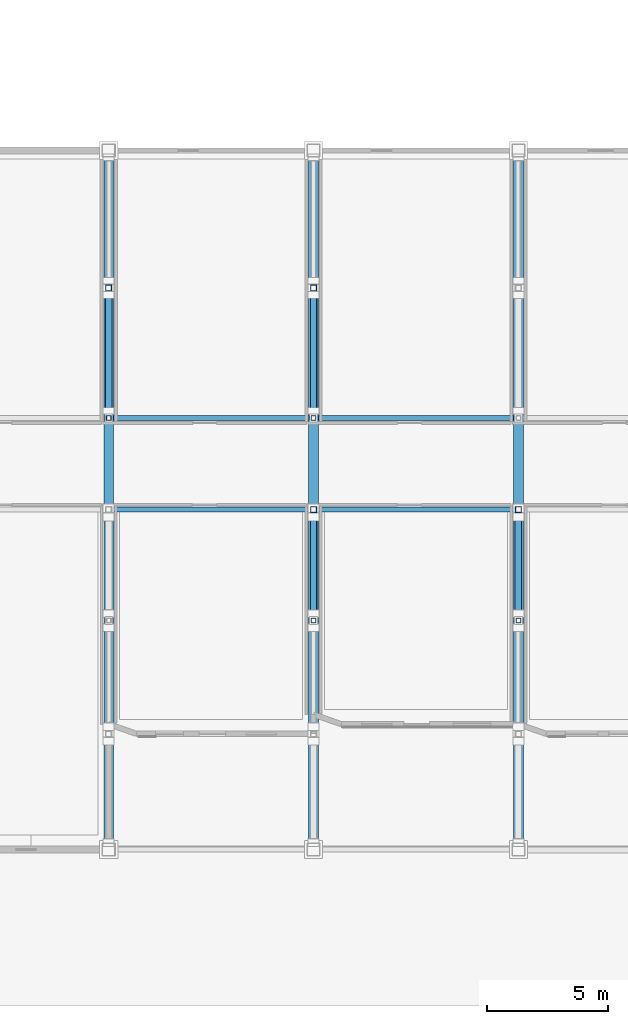
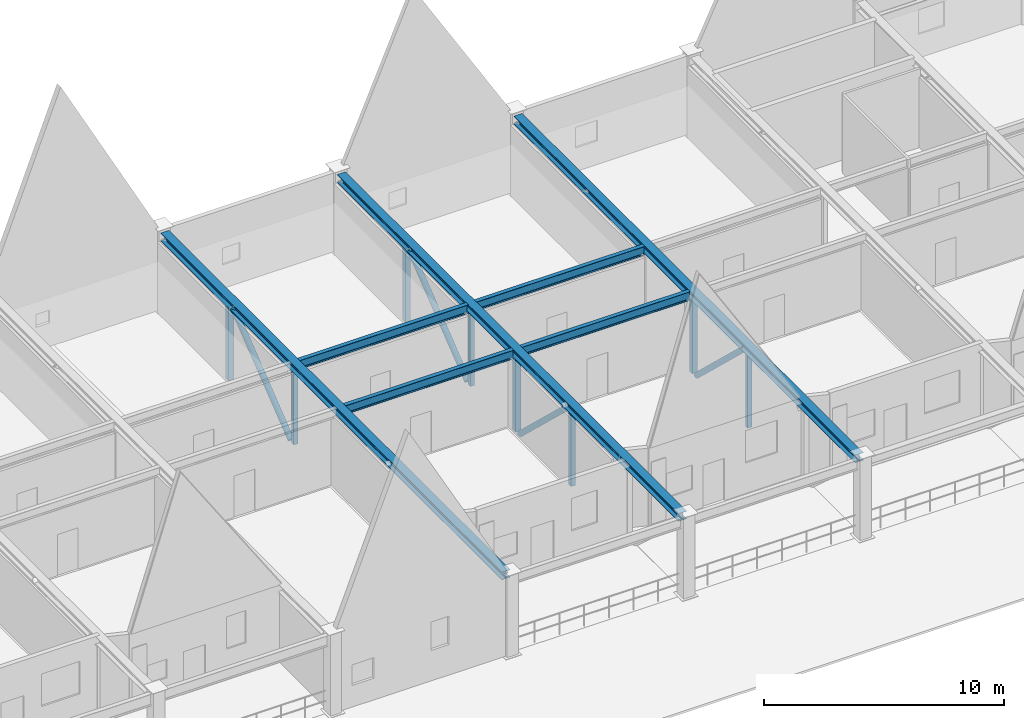
# One storey, part 30 of 78: 12 members, 7 beams.
"""IFC4 building model written with IfcOpenShell, lengths in metres."""

from ifc_helpers import new_model, si_unit, direction, frame, origin, origin_2d, place, context, subcontext, project, spatial, hollow_rectangle, hollow_circle, i_section, extrude, material, material_profile, profile_set, type_object, element, save


model = new_model("IFC4")

# Units and contexts
model_context = context("Model", 3, precision=1e-05, world=origin(), true_north=direction((0.0, 1.0)))
body_context = subcontext(model_context, "Body", "Model", "MODEL_VIEW")
ifc_project = project(units=[si_unit("LENGTHUNIT", "METRE"), si_unit("AREAUNIT", "SQUARE_METRE"), si_unit("VOLUMEUNIT", "CUBIC_METRE"), si_unit("PLANEANGLEUNIT", "RADIAN"), si_unit("MASSUNIT", "GRAM", prefix="KILO"), si_unit("THERMODYNAMICTEMPERATUREUNIT", "KELVIN"), si_unit("POWERUNIT", "WATT")], contexts=[model_context])

# Site, building, storey
site_placement = place(None, origin())
site = spatial("IfcSite", under=ifc_project, at=site_placement, CompositionType="ELEMENT")
building_placement = place(site_placement, origin())
building = spatial("IfcBuilding", under=site, at=building_placement, Name="Zhenchuan Central Fire Station", CompositionType="ELEMENT")
storey_placement = place(building_placement, frame((0.0, 0.0, 5.85009765625)))
storey = spatial("IfcBuildingStorey", under=building, at=storey_placement, Name="L02", CompositionType="ELEMENT", Elevation=5.85009765625)

# Beams
ifc_material = material(Name="Steel Q355B", Category="steel")
ifc_material_profile_1 = material_profile(ifc_material, i_section(OverallWidth=0.199951171875, OverallDepth=0.449951171875, WebThickness=0.009033203125, FlangeThickness=0.013916015625, FilletRadius=0.01806640625, at=origin_2d()), Name="HN 450x200")
ifc_profile_set_1 = profile_set([ifc_material_profile_1], Name="Steel Q355B")
beam_type_1 = type_object("IfcBeamType", Name="BM-HN450", PredefinedType="BEAM", material=ifc_profile_set_1)
for number, where, z_axis, x_axis, name in (
    (1, (98.697021484375, 20.60009765625, 3.77490234375), (1.0, 0.0, 0.0), (0.0, 1.0, 0.0), "Pavilion Corridor Tie Girder 0550"),
    (2, (98.697021484375, 24.39990234375, 3.77490234375), (1.0, 0.0, 0.0), (0.0, 1.0, 0.0), "Pavilion Corridor Tie Girder 0551"),
    (3, (107.197021484375, 20.60009765625, 3.77490234375), (1.0, 0.0, 0.0), (0.0, 1.0, 0.0), "Pavilion Corridor Tie Girder 0552"),
    (4, (107.197021484375, 24.39990234375, 3.77490234375), (1.0, 0.0, 0.0), (0.0, 1.0, 0.0), "Pavilion Corridor Tie Girder 0553"),
):
    element("IfcBeam", number, at=place(storey_placement, frame(where, z_axis=z_axis, x_axis=x_axis)), inside=storey, type_object=beam_type_1, Name=name, PredefinedType="BEAM", context=body_context, shape_type="SweptSolid", body=[
        extrude(i_section(OverallWidth=0.199951171875, OverallDepth=0.449951171875, WebThickness=0.009033203125, FlangeThickness=0.013916015625, FilletRadius=0.01806640625, at=origin_2d()), origin(), (0.0, 0.0, 1.0), 8.10595703125),
    ])
ifc_material_profile_2 = material_profile(ifc_material, i_section(OverallWidth=0.39990234375, OverallDepth=0.39990234375, WebThickness=0.012939453125, FlangeThickness=0.02099609375, FilletRadius=0.02197265625, at=origin_2d()), Name="HW 400x400")
ifc_profile_set_2 = profile_set([ifc_material_profile_2], Name="Steel Q355B")
beam_type_2 = type_object("IfcBeamType", Name="BM-HW400-INT", PredefinedType="BEAM", material=ifc_profile_set_2)
for number, where, z_axis, x_axis, name in (
    (5, (98.5, 6.77490234375, 3.7998046875), (0.0, 1.0, 0.0), (-1.0, 0.0, 0.0), "Pratt Transfer Truss TT-06 Top Chord"),
    (6, (107.0, 6.77490234375, 3.7998046875), (0.0, 1.0, 0.0), (-1.0, 0.0, 0.0), "Pratt Transfer Truss TT-07 Top Chord"),
    (7, (115.5, 6.77490234375, 3.7998046875), (0.0, 1.0, 0.0), (-1.0, 0.0, 0.0), "Pratt Transfer Truss TT-08 Top Chord"),
):
    element("IfcBeam", number, at=place(storey_placement, frame(where, z_axis=z_axis, x_axis=x_axis)), inside=storey, type_object=beam_type_2, Name=name, PredefinedType="BEAM", context=body_context, shape_type="SweptSolid", body=[
        extrude(i_section(OverallWidth=0.39990234375, OverallDepth=0.39990234375, WebThickness=0.012939453125, FlangeThickness=0.02099609375, FilletRadius=0.02197265625, at=origin_2d()), origin(), (0.0, 0.0, 1.0), 28.4501953125),
    ])

# Members
ifc_material_profile_3 = material_profile(ifc_material, hollow_circle(Radius=0.136474609375, WallThickness=0.011962890625, at=origin_2d()), Name="CHS 273x12")
ifc_profile_set_3 = profile_set([ifc_material_profile_3], Name="Steel Q355B")
member_type_1 = type_object("IfcMemberType", Name="MB-BR-CHS273", PredefinedType="BRACE", material=ifc_profile_set_3)
member_1_placement = place(storey_placement, frame((98.5, 24.699951171875, -0.2001953125), z_axis=(0.0, 0.784045015832, 0.620703965791), x_axis=(-1.0, 0.0, 0.0)))
element("IfcMember", 8, at=member_1_placement, inside=storey, type_object=member_type_1, Name="Transfer Truss TT-06 Web Diagonal 5", PredefinedType="BRACE", context=body_context, shape_type="SweptSolid", body=[
    extrude(hollow_circle(Radius=0.136474609375, WallThickness=0.011962890625, at=origin_2d()), origin(), (0.0, 0.0, 1.0), 6.1220703125),
])
member_2_placement = place(storey_placement, frame((107.0, 16.300048828125, 3.599853515625), z_axis=(0.0, 0.724995014376, -0.688754113694), x_axis=(-1.0, 0.0, 0.0)))
element("IfcMember", 9, at=member_2_placement, inside=storey, type_object=member_type_1, Name="Transfer Truss TT-07 Web Diagonal 3", PredefinedType="BRACE", context=body_context, shape_type="SweptSolid", body=[
    extrude(hollow_circle(Radius=0.136474609375, WallThickness=0.011962890625, at=origin_2d()), origin(), (0.0, 0.0, 1.0), 5.517333984375),
])
member_3_placement = place(storey_placement, frame((107.0, 24.699951171875, -0.2001953125), z_axis=(0.0, 0.784045015832, 0.620703965791), x_axis=(-1.0, 0.0, 0.0)))
element("IfcMember", 10, at=member_3_placement, inside=storey, type_object=member_type_1, Name="Transfer Truss TT-07 Web Diagonal 5", PredefinedType="BRACE", context=body_context, shape_type="SweptSolid", body=[
    extrude(hollow_circle(Radius=0.136474609375, WallThickness=0.011962890625, at=origin_2d()), origin(), (0.0, 0.0, 1.0), 6.1220703125),
])
member_4_placement = place(storey_placement, frame((115.5, 16.300048828125, 3.599853515625), z_axis=(0.0, 0.724995014376, -0.688754113694), x_axis=(-1.0, 0.0, 0.0)))
element("IfcMember", 11, at=member_4_placement, inside=storey, type_object=member_type_1, Name="Transfer Truss TT-08 Web Diagonal 3", PredefinedType="BRACE", context=body_context, shape_type="SweptSolid", body=[
    extrude(hollow_circle(Radius=0.136474609375, WallThickness=0.011962890625, at=origin_2d()), origin(), (0.0, 0.0, 1.0), 5.517333984375),
])
ifc_material_profile_4 = material_profile(ifc_material, hollow_rectangle(XDim=0.199951171875, YDim=0.199951171875, WallThickness=0.010009765625, at=origin_2d()), Name="SHS 200x200x10")
ifc_profile_set_4 = profile_set([ifc_material_profile_4], Name="Steel Q355B")
member_type_2 = type_object("IfcMemberType", Name="MB-CH-SHS200", PredefinedType="CHORD", material=ifc_profile_set_4)
for number, where, z_axis, x_axis, name in (
    (12, (98.5, 24.39990234375, -0.2001953125), (0.0, 0.0, 1.0), (1.0, 0.0, 0.0), "Transfer Truss TT-06 Web Post 4"),
    (13, (107.0, 16.0, -0.2001953125), (0.0, 0.0, 1.0), (1.0, 0.0, 0.0), "Transfer Truss TT-07 Web Post 2"),
    (14, (107.0, 24.39990234375, -0.2001953125), (0.0, 0.0, 1.0), (1.0, 0.0, 0.0), "Transfer Truss TT-07 Web Post 4"),
    (15, (115.5, 16.0, -0.2001953125), (0.0, 0.0, 1.0), (1.0, 0.0, 0.0), "Transfer Truss TT-08 Web Post 2"),
):
    element("IfcMember", number, at=place(storey_placement, frame(where, z_axis=z_axis, x_axis=x_axis)), inside=storey, type_object=member_type_2, Name=name, PredefinedType="CHORD", context=body_context, shape_type="SweptSolid", body=[
        extrude(hollow_rectangle(XDim=0.199951171875, YDim=0.199951171875, WallThickness=0.010009765625, at=origin_2d()), origin(), (0.0, 0.0, 1.0), 3.800048828125),
    ])
ifc_material_profile_5 = material_profile(ifc_material, hollow_rectangle(XDim=0.25, YDim=0.25, WallThickness=0.011962890625, at=origin_2d()), Name="SHS 250x250x12")
ifc_profile_set_5 = profile_set([ifc_material_profile_5], Name="Steel Q355B")
member_type_3 = type_object("IfcMemberType", Name="MB-CH-SHS250", PredefinedType="CHORD", material=ifc_profile_set_5)
for number, where, z_axis, x_axis, name in (
    (16, (98.5, 29.800048828125, -0.2001953125), (0.0, 0.0, 1.0), (1.0, 0.0, 0.0), "Transfer Truss TT-06 Web Post 5"),
    (17, (107.0, 20.60009765625, -0.2001953125), (0.0, 0.0, 1.0), (1.0, 0.0, 0.0), "Transfer Truss TT-07 Web Post 3"),
    (18, (107.0, 29.800048828125, -0.2001953125), (0.0, 0.0, 1.0), (1.0, 0.0, 0.0), "Transfer Truss TT-07 Web Post 5"),
    (19, (115.5, 20.60009765625, -0.2001953125), (0.0, 0.0, 1.0), (1.0, 0.0, 0.0), "Transfer Truss TT-08 Web Post 3"),
):
    element("IfcMember", number, at=place(storey_placement, frame(where, z_axis=z_axis, x_axis=x_axis)), inside=storey, type_object=member_type_3, Name=name, PredefinedType="CHORD", context=body_context, shape_type="SweptSolid", body=[
        extrude(hollow_rectangle(XDim=0.25, YDim=0.25, WallThickness=0.011962890625, at=origin_2d()), origin(), (0.0, 0.0, 1.0), 3.800048828125),
    ])

save(model, "model.ifc")
